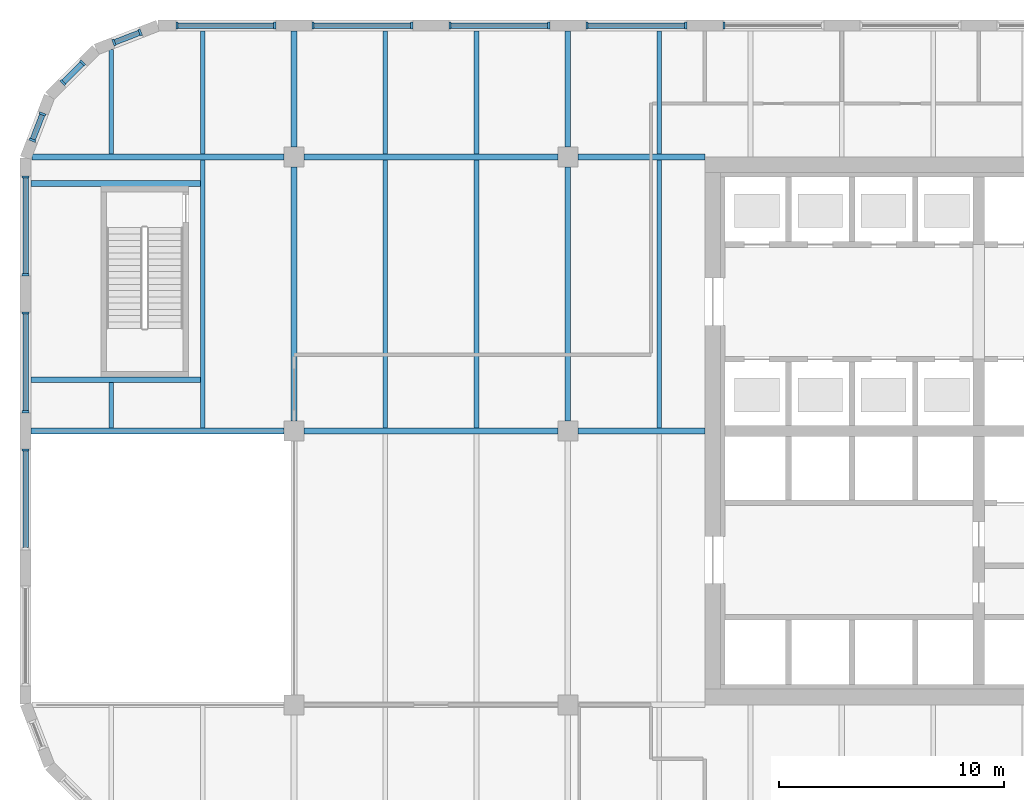
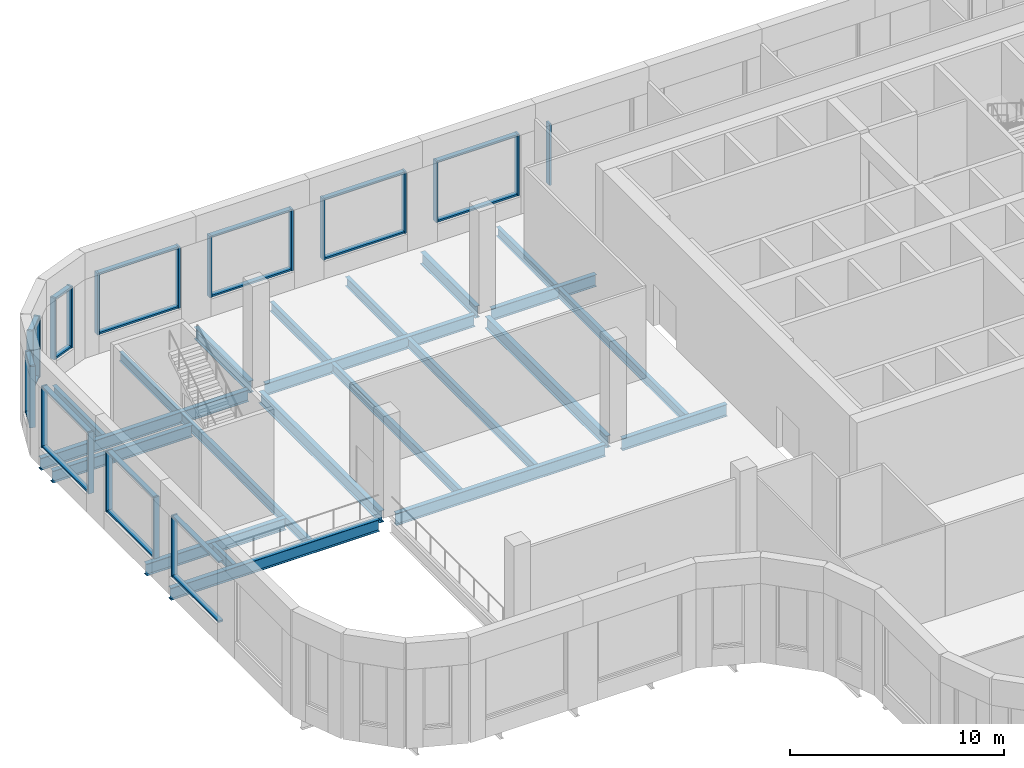
# One storey, part 5 of 36: 40 members, 22 beams, 11 elements without a shape of their own.
"""IFC4 building model written with IfcOpenShell, lengths in metres."""

import ifcopenshell
import ifcopenshell.guid

model = None  # the IFC model being written
_history = None  # IfcOwnerHistory: only IFC2X3 demands one
_inside = {}  # id of a spatial element -> (the spatial element, [elements in it])
_under = {}  # id of a project, library or spatial element -> (it, [spatial elements below it])
_declared = {}  # id of a project -> (the project, [libraries it declares])
_typed = {}  # id of a type object -> (the type object, [elements of that type])
_made_of = {}  # id of a material, layer set ... -> (it, [elements and type objects made of it])


def new_model(schema):
    """Start an empty IFC model of exactly this schema.

    Asked for "IFC4X3", IfcOpenShell would pick the latest addendum, in which some entities
    have other attributes; the version numbers below select the first issue.
    IFC2X3 requires an IfcOwnerHistory on every rooted entity: one is made here for all.
    """
    global model, _history
    if schema == "IFC4X3":
        model = ifcopenshell.file(schema_version=(4, 3, 0, 0))
    else:
        model = ifcopenshell.file(schema=schema)
    _inside.clear()
    _under.clear()
    _declared.clear()
    _typed.clear()
    _made_of.clear()
    _history = None
    if model.schema == "IFC2X3":
        org = make("IfcOrganization", Name="unknown")
        user = make(
            "IfcPersonAndOrganization",
            ThePerson=make("IfcPerson", FamilyName="unknown"),
            TheOrganization=org,
        )
        app = make(
            "IfcApplication",
            ApplicationDeveloper=org,
            Version="unknown",
            ApplicationFullName="unknown",
            ApplicationIdentifier="unknown",
        )
        _history = make(
            "IfcOwnerHistory",
            OwningUser=user,
            OwningApplication=app,
            ChangeAction="ADDED",
            CreationDate=0,
        )
    return model


def make(cls, **values):
    """One entity of the class cls with the attributes given. An attribute that is None is left unset."""
    return model.create_entity(
        cls, **{name: value for name, value in values.items() if value is not None}
    )


def rooted(cls, **values):
    """An entity with a GlobalId (a new one), such as an element, a storey or a relation."""
    return make(cls, GlobalId=ifcopenshell.guid.new(), OwnerHistory=_history, **values)


def si_unit(unit_type, name, prefix=None):
    """IfcSIUnit, for example si_unit("LENGTHUNIT", "METRE", prefix="MILLI")."""
    return make("IfcSIUnit", UnitType=unit_type, Prefix=prefix, Name=name)


def assignment(units):
    """IfcUnitAssignment: the units of a project."""
    return None if units is None else make("IfcUnitAssignment", Units=units)


def point(xyz):
    """IfcCartesianPoint."""
    return None if xyz is None else make("IfcCartesianPoint", Coordinates=xyz)


def direction(xyz):
    """IfcDirection."""
    return None if xyz is None else make("IfcDirection", DirectionRatios=xyz)


def frame(location, z_axis=None, x_axis=None):
    """IfcAxis2Placement3D, a coordinate frame: its origin and axes. An axis left out is left unset."""
    return make(
        "IfcAxis2Placement3D",
        Location=point(location),
        Axis=direction(z_axis),
        RefDirection=direction(x_axis),
    )


def frame_2d(location, x_axis=None):
    """IfcAxis2Placement2D, a coordinate frame in the plane: its origin and x axis."""
    return make(
        "IfcAxis2Placement2D", Location=point(location), RefDirection=direction(x_axis)
    )


def origin():
    """The frame at (0, 0, 0) with its axes left unset."""
    return frame((0.0, 0.0, 0.0))


def origin_2d():
    """The frame at (0, 0) in the plane with its x axis left unset."""
    return frame_2d((0.0, 0.0))


def place(relative_to, where):
    """IfcLocalPlacement: puts the frame where relative to a parent placement (None: the world)."""
    return make(
        "IfcLocalPlacement", PlacementRelTo=relative_to, RelativePlacement=where
    )


def context(
    kind, dimensions, precision=None, world=None, true_north=None, identifier=None
):
    """IfcGeometricRepresentationContext, for example the 3D "Model" context."""
    return make(
        "IfcGeometricRepresentationContext",
        ContextIdentifier=identifier,
        ContextType=kind,
        CoordinateSpaceDimension=dimensions,
        Precision=precision,
        WorldCoordinateSystem=world,
        TrueNorth=true_north,
    )


def subcontext(parent, identifier, kind, view, scale=None):
    """IfcGeometricRepresentationSubContext, for example "Body" below "Model"."""
    return make(
        "IfcGeometricRepresentationSubContext",
        ContextIdentifier=identifier,
        ContextType=kind,
        ParentContext=parent,
        TargetScale=scale,
        TargetView=view,
    )


def project(units=None, contexts=None):
    """IfcProject with its units and contexts."""
    return rooted(
        "IfcProject",
        Name="project",
        RepresentationContexts=contexts,
        UnitsInContext=assignment(units),
    )


def spatial(cls, under=None, at=None, **own):
    """A site, building, storey or space (cls), placed at a placement, below another one or the project."""
    s = rooted(cls, ObjectPlacement=at, **own)
    if under is not None:
        _under.setdefault(under.id(), (under, []))[1].append(s)
    return s


def profile(cls, at=None, kind="AREA", **sizes):
    """A parametric profile (cls). Its sizes go by their IFC names, for example OverallWidth=200.0."""
    return make(cls, ProfileType=kind, Position=at, **sizes)


def rectangle(**sizes):
    """IfcRectangleProfileDef."""
    return profile("IfcRectangleProfileDef", **sizes)


def i_section(**sizes):
    """IfcIShapeProfileDef."""
    return profile("IfcIShapeProfileDef", **sizes)


def extrude(swept, where, along, depth):
    """IfcExtrudedAreaSolid: the profile swept, set in the frame where, extruded along a direction by depth."""
    return make(
        "IfcExtrudedAreaSolid",
        SweptArea=swept,
        Position=where,
        ExtrudedDirection=direction(along),
        Depth=depth,
    )


def shape(context_of_items, identifier, shape_type, items):
    """IfcShapeRepresentation: the items that make up one representation, for example the "Body"."""
    return make(
        "IfcShapeRepresentation",
        ContextOfItems=context_of_items,
        RepresentationIdentifier=identifier,
        RepresentationType=shape_type,
        Items=items,
    )


def material(Name=None, Category=None):
    """IfcMaterial."""
    return make("IfcMaterial", Name=Name, Category=Category)


def material_profile(
    of_material, cross_section, Name=None, Category=None, Priority=None
):
    """IfcMaterialProfile: a cross section and its material."""
    return make(
        "IfcMaterialProfile",
        Name=Name,
        Material=of_material,
        Profile=cross_section,
        Priority=Priority,
        Category=Category,
    )


def profile_set(profiles, Name=None, composite=None):
    """IfcMaterialProfileSet."""
    return make(
        "IfcMaterialProfileSet",
        Name=Name,
        MaterialProfiles=profiles,
        CompositeProfile=composite,
    )


def made_of(thing, what):
    """Note that an element or type object is made of a material, layer set ...; save() writes the relation."""
    if what is not None:
        _made_of.setdefault(what.id(), (what, []))[1].append(thing)
    return thing


def type_object(cls, material=None, **own):
    """A type object (cls), such as IfcWallType, which elements share."""
    return made_of(rooted(cls, **own), material)


def element(
    cls,
    number,
    at=None,
    inside=None,
    cuts=None,
    type_object=None,
    material=None,
    context=None,
    identifier="Body",
    shape_type=None,
    held_by="IfcProductDefinitionShape",
    body=None,
    shapes=None,
    **own,
):
    """One element of the class cls, such as IfcWall. Its Tag is "e" and its number.

    at: its placement. inside: the storey or other place that contains it. cuts: it is an
    opening in that element (IfcRelVoidsElement). A single representation is given by context,
    identifier, shape_type and body (its items); several are given by shapes. held_by: the class
    of the entity that holds the representations. save() writes the other relations.
    """
    e = rooted(cls, Tag="e%d" % number, ObjectPlacement=at, **own)
    if body is not None:
        shapes = [shape(context, identifier, shape_type, body)]
    if shapes is not None:
        e.Representation = make(held_by, Representations=shapes)
    if inside is not None:
        _inside.setdefault(inside.id(), (inside, []))[1].append(e)
    if cuts is not None:
        rooted(
            "IfcRelVoidsElement", RelatingBuildingElement=cuts, RelatedOpeningElement=e
        )
    if type_object is not None:
        _typed.setdefault(type_object.id(), (type_object, []))[1].append(e)
    return made_of(e, material)


def aggregate(whole, parts):
    """IfcRelAggregates: a whole, such as a stair, and the parts it consists of."""
    return rooted("IfcRelAggregates", RelatingObject=whole, RelatedObjects=parts)


def save(model, path):
    """Write the relations noted so far, then the file.

    IfcRelAggregates (storeys below a building ...), IfcRelContainedInSpatialStructure (elements
    in a storey), IfcRelDefinesByType, IfcRelAssociatesMaterial and IfcRelDeclares: one each for
    every whole, place, type object, material and project.
    """
    for whole, parts in _under.values():
        aggregate(whole, parts)
    for where, things in _inside.values():
        rooted(
            "IfcRelContainedInSpatialStructure",
            RelatedElements=things,
            RelatingStructure=where,
        )
    for kind, things in _typed.values():
        rooted("IfcRelDefinesByType", RelatedObjects=things, RelatingType=kind)
    for what, things in _made_of.values():
        rooted("IfcRelAssociatesMaterial", RelatedObjects=things, RelatingMaterial=what)
    for by, libraries in _declared.values():
        rooted("IfcRelDeclares", RelatingContext=by, RelatedDefinitions=libraries)
    model.write(path)


model = new_model("IFC4")

# Units and contexts
model_context = context("Model", 3, precision=1e-05, world=origin(), true_north=direction((0.0, 1.0)))
body_context = subcontext(model_context, "Body", "Model", "MODEL_VIEW")
ifc_project = project(units=[si_unit("LENGTHUNIT", "METRE"), si_unit("AREAUNIT", "SQUARE_METRE"), si_unit("VOLUMEUNIT", "CUBIC_METRE"), si_unit("PLANEANGLEUNIT", "RADIAN"), si_unit("MASSUNIT", "GRAM", prefix="KILO")], contexts=[model_context])

# Site, building, storey
site_placement = place(None, origin())
site = spatial("IfcSite", under=ifc_project, at=site_placement, CompositionType="ELEMENT")
building_placement = place(site_placement, origin())
building = spatial("IfcBuilding", under=site, at=building_placement, Name="Tessera Gate Towers", CompositionType="ELEMENT")
storey_placement = place(building_placement, frame((0.0, 0.0, 106.60009765625)))
storey = spatial("IfcBuildingStorey", under=building, at=storey_placement, Name="L26", CompositionType="ELEMENT", Elevation=106.60009765625)

# Beams
ifc_material_1 = material(Name="Steel 350W", Category="steel")
ifc_material_profile_1 = material_profile(ifc_material_1, i_section(OverallWidth=0.2529296875, OverallDepth=0.677978515625, WebThickness=0.01171875, FlangeThickness=0.016357421875, at=origin_2d()), Name="W690x125")
ifc_profile_set_1 = profile_set([ifc_material_profile_1], Name="Steel 350W")
beam_type_1 = type_object("IfcBeamType", Name="FLOOR GIRDER W690x125", PredefinedType="BEAM", material=ifc_profile_set_1)
beam_1_placement = place(storey_placement, frame((0.4990234375, 36.60009765625, -0.589111328125), z_axis=(1.0, 0.0, 0.0), x_axis=(0.0, 1.0, 0.0)))
element("IfcBeam", 1, at=beam_1_placement, inside=storey, type_object=beam_type_1, Name="T1-GD-L26-3408", PredefinedType="BEAM", context=body_context, shape_type="SweptSolid", body=[
    extrude(i_section(OverallWidth=0.2529296875, OverallDepth=0.677978515625, WebThickness=0.01171875, FlangeThickness=0.016357421875, at=origin_2d()), origin(), (0.0, 0.0, 1.0), 11.2509765625),
])
beam_2_placement = place(storey_placement, frame((12.64990234375, 36.60009765625, -0.589111328125), z_axis=(1.0, 0.0, 0.0), x_axis=(0.0, 1.0, 0.0)))
element("IfcBeam", 2, at=beam_2_placement, inside=storey, type_object=beam_type_1, Name="T1-GD-L26-3409", PredefinedType="BEAM", context=body_context, shape_type="SweptSolid", body=[
    extrude(i_section(OverallWidth=0.2529296875, OverallDepth=0.677978515625, WebThickness=0.01171875, FlangeThickness=0.016357421875, at=origin_2d()), origin(), (0.0, 0.0, 1.0), 11.300048828125),
])
beam_3_placement = place(storey_placement, frame((24.85009765625, 36.60009765625, -0.589111328125), z_axis=(1.0, 0.0, 0.0), x_axis=(0.0, 1.0, 0.0)))
element("IfcBeam", 3, at=beam_3_placement, inside=storey, type_object=beam_type_1, Name="T1-GD-L26-3410", PredefinedType="BEAM", context=body_context, shape_type="SweptSolid", body=[
    extrude(i_section(OverallWidth=0.2529296875, OverallDepth=0.677978515625, WebThickness=0.01171875, FlangeThickness=0.016357421875, at=origin_2d()), origin(), (0.0, 0.0, 1.0), 5.65087890625),
])
beam_4_placement = place(storey_placement, frame((0.534912109375, 48.800048828125, -0.589111328125), z_axis=(1.0, 0.0, 0.0), x_axis=(0.0, 1.0, 0.0)))
element("IfcBeam", 4, at=beam_4_placement, inside=storey, type_object=beam_type_1, Name="T1-GD-L26-3412", PredefinedType="BEAM", context=body_context, shape_type="SweptSolid", body=[
    extrude(i_section(OverallWidth=0.2529296875, OverallDepth=0.677978515625, WebThickness=0.01171875, FlangeThickness=0.016357421875, at=origin_2d()), origin(), (0.0, 0.0, 1.0), 11.215087890625),
])
beam_5_placement = place(storey_placement, frame((12.64990234375, 48.800048828125, -0.589111328125), z_axis=(1.0, 0.0, 0.0), x_axis=(0.0, 1.0, 0.0)))
element("IfcBeam", 5, at=beam_5_placement, inside=storey, type_object=beam_type_1, Name="T1-GD-L26-3413", PredefinedType="BEAM", context=body_context, shape_type="SweptSolid", body=[
    extrude(i_section(OverallWidth=0.2529296875, OverallDepth=0.677978515625, WebThickness=0.01171875, FlangeThickness=0.016357421875, at=origin_2d()), origin(), (0.0, 0.0, 1.0), 11.300048828125),
])
beam_6_placement = place(storey_placement, frame((24.85009765625, 48.800048828125, -0.589111328125), z_axis=(1.0, 0.0, 0.0), x_axis=(0.0, 1.0, 0.0)))
element("IfcBeam", 6, at=beam_6_placement, inside=storey, type_object=beam_type_1, Name="T1-GD-L26-3414", PredefinedType="BEAM", context=body_context, shape_type="SweptSolid", body=[
    extrude(i_section(OverallWidth=0.2529296875, OverallDepth=0.677978515625, WebThickness=0.01171875, FlangeThickness=0.016357421875, at=origin_2d()), origin(), (0.0, 0.0, 1.0), 5.64892578125),
])
beam_7_placement = place(storey_placement, frame((12.199951171875, 37.050048828125, -0.589111328125), z_axis=(0.0, 1.0, 0.0), x_axis=(-1.0, 0.0, 0.0)))
element("IfcBeam", 7, at=beam_7_placement, inside=storey, type_object=beam_type_1, Name="T1-GD-L26-3418", PredefinedType="BEAM", context=body_context, shape_type="SweptSolid", body=[
    extrude(i_section(OverallWidth=0.2529296875, OverallDepth=0.677978515625, WebThickness=0.01171875, FlangeThickness=0.016357421875, at=origin_2d()), origin(), (0.0, 0.0, 1.0), 11.300048828125),
])
beam_8_placement = place(storey_placement, frame((12.199951171875, 49.25, -0.589111328125), z_axis=(0.0, 1.0, 0.0), x_axis=(-1.0, 0.0, 0.0)))
element("IfcBeam", 8, at=beam_8_placement, inside=storey, type_object=beam_type_1, Name="T1-GD-L26-3419", PredefinedType="BEAM", context=body_context, shape_type="SweptSolid", body=[
    extrude(i_section(OverallWidth=0.2529296875, OverallDepth=0.677978515625, WebThickness=0.01171875, FlangeThickness=0.016357421875, at=origin_2d()), origin(), (0.0, 0.0, 1.0), 5.15087890625),
])
beam_9_placement = place(storey_placement, frame((24.39990234375, 37.050048828125, -0.589111328125), z_axis=(0.0, 1.0, 0.0), x_axis=(-1.0, 0.0, 0.0)))
element("IfcBeam", 9, at=beam_9_placement, inside=storey, type_object=beam_type_1, Name="T1-GD-L26-3422", PredefinedType="BEAM", context=body_context, shape_type="SweptSolid", body=[
    extrude(i_section(OverallWidth=0.2529296875, OverallDepth=0.677978515625, WebThickness=0.01171875, FlangeThickness=0.016357421875, at=origin_2d()), origin(), (0.0, 0.0, 1.0), 11.300048828125),
])
beam_10_placement = place(storey_placement, frame((24.39990234375, 49.25, -0.589111328125), z_axis=(0.0, 1.0, 0.0), x_axis=(-1.0, 0.0, 0.0)))
element("IfcBeam", 10, at=beam_10_placement, inside=storey, type_object=beam_type_1, Name="T1-GD-L26-3423", PredefinedType="BEAM", context=body_context, shape_type="SweptSolid", body=[
    extrude(i_section(OverallWidth=0.2529296875, OverallDepth=0.677978515625, WebThickness=0.01171875, FlangeThickness=0.016357421875, at=origin_2d()), origin(), (0.0, 0.0, 1.0), 5.15087890625),
])
for number, where, z_axis, x_axis, name in (
    (11, (0.4990234375, 38.8798828125, -0.589111328125), (1.0, 0.0, 0.0), (0.0, 1.0, 0.0), "T1-GD-L26-3428"),
    (12, (0.4990234375, 47.6201171875, -0.589111328125), (1.0, 0.0, 0.0), (0.0, 1.0, 0.0), "T1-GD-L26-3429"),
):
    element("IfcBeam", number, at=place(storey_placement, frame(where, z_axis=z_axis, x_axis=x_axis)), inside=storey, type_object=beam_type_1, Name=name, PredefinedType="BEAM", context=body_context, shape_type="SweptSolid", body=[
        extrude(i_section(OverallWidth=0.2529296875, OverallDepth=0.677978515625, WebThickness=0.01171875, FlangeThickness=0.016357421875, at=origin_2d()), origin(), (0.0, 0.0, 1.0), 7.52978515625),
    ])
ifc_material_2 = material(Name="Steel 350W", Category="steel")
ifc_material_profile_2 = material_profile(ifc_material_2, i_section(OverallWidth=0.208984375, OverallDepth=0.528076171875, WebThickness=0.009521484375, FlangeThickness=0.01318359375, at=origin_2d()), Name="W530x82")
ifc_profile_set_2 = profile_set([ifc_material_profile_2], Name="Steel 350W")
beam_type_2 = type_object("IfcBeamType", Name="FLOOR SECONDARY W530x82", PredefinedType="BEAM", material=ifc_profile_set_2)
beam_11_placement = place(storey_placement, frame((4.066650390625, 36.7265625, -0.51416015625), z_axis=(0.0, 1.0, 0.0), x_axis=(-1.0, 0.0, 0.0)))
element("IfcBeam", 13, at=beam_11_placement, inside=storey, type_object=beam_type_2, Name="T1-BM-L26-3438", PredefinedType="BEAM", context=body_context, shape_type="SweptSolid", body=[
    extrude(i_section(OverallWidth=0.208984375, OverallDepth=0.528076171875, WebThickness=0.009521484375, FlangeThickness=0.01318359375, at=origin_2d()), origin(), (0.0, 0.0, 1.0), 2.02685546875),
])
beam_12_placement = place(storey_placement, frame((4.066650390625, 48.926513671875, -0.51416015625), z_axis=(0.0, 1.0, 0.0), x_axis=(-1.0, 0.0, 0.0)))
element("IfcBeam", 14, at=beam_12_placement, inside=storey, type_object=beam_type_2, Name="T1-BM-L26-3439", PredefinedType="BEAM", context=body_context, shape_type="SweptSolid", body=[
    extrude(i_section(OverallWidth=0.208984375, OverallDepth=0.528076171875, WebThickness=0.009521484375, FlangeThickness=0.01318359375, at=origin_2d()), origin(), (0.0, 0.0, 1.0), 4.653076171875),
])
beam_13_placement = place(storey_placement, frame((8.13330078125, 36.7265625, -0.51416015625), z_axis=(0.0, 1.0, 0.0), x_axis=(-1.0, 0.0, 0.0)))
element("IfcBeam", 15, at=beam_13_placement, inside=storey, type_object=beam_type_2, Name="T1-BM-L26-3441", PredefinedType="BEAM", context=body_context, shape_type="SweptSolid", body=[
    extrude(i_section(OverallWidth=0.208984375, OverallDepth=0.528076171875, WebThickness=0.009521484375, FlangeThickness=0.01318359375, at=origin_2d()), origin(), (0.0, 0.0, 1.0), 11.947021484375),
])
beam_14_placement = place(storey_placement, frame((8.13330078125, 48.926513671875, -0.51416015625), z_axis=(0.0, 1.0, 0.0), x_axis=(-1.0, 0.0, 0.0)))
element("IfcBeam", 16, at=beam_14_placement, inside=storey, type_object=beam_type_2, Name="T1-BM-L26-3442", PredefinedType="BEAM", context=body_context, shape_type="SweptSolid", body=[
    extrude(i_section(OverallWidth=0.208984375, OverallDepth=0.528076171875, WebThickness=0.009521484375, FlangeThickness=0.01318359375, at=origin_2d()), origin(), (0.0, 0.0, 1.0), 5.473388671875),
])
beam_15_placement = place(storey_placement, frame((16.2666015625, 36.7265625, -0.51416015625), z_axis=(0.0, 1.0, 0.0), x_axis=(-1.0, 0.0, 0.0)))
element("IfcBeam", 17, at=beam_15_placement, inside=storey, type_object=beam_type_2, Name="T1-BM-L26-3445", PredefinedType="BEAM", context=body_context, shape_type="SweptSolid", body=[
    extrude(i_section(OverallWidth=0.208984375, OverallDepth=0.528076171875, WebThickness=0.009521484375, FlangeThickness=0.01318359375, at=origin_2d()), origin(), (0.0, 0.0, 1.0), 11.947021484375),
])
beam_16_placement = place(storey_placement, frame((16.2666015625, 48.926513671875, -0.51416015625), z_axis=(0.0, 1.0, 0.0), x_axis=(-1.0, 0.0, 0.0)))
element("IfcBeam", 18, at=beam_16_placement, inside=storey, type_object=beam_type_2, Name="T1-BM-L26-3446", PredefinedType="BEAM", context=body_context, shape_type="SweptSolid", body=[
    extrude(i_section(OverallWidth=0.208984375, OverallDepth=0.528076171875, WebThickness=0.009521484375, FlangeThickness=0.01318359375, at=origin_2d()), origin(), (0.0, 0.0, 1.0), 5.473388671875),
])
beam_17_placement = place(storey_placement, frame((20.333251953125, 36.7265625, -0.51416015625), z_axis=(0.0, 1.0, 0.0), x_axis=(-1.0, 0.0, 0.0)))
element("IfcBeam", 19, at=beam_17_placement, inside=storey, type_object=beam_type_2, Name="T1-BM-L26-3449", PredefinedType="BEAM", context=body_context, shape_type="SweptSolid", body=[
    extrude(i_section(OverallWidth=0.208984375, OverallDepth=0.528076171875, WebThickness=0.009521484375, FlangeThickness=0.01318359375, at=origin_2d()), origin(), (0.0, 0.0, 1.0), 11.947021484375),
])
beam_18_placement = place(storey_placement, frame((20.333251953125, 48.926513671875, -0.51416015625), z_axis=(0.0, 1.0, 0.0), x_axis=(-1.0, 0.0, 0.0)))
element("IfcBeam", 20, at=beam_18_placement, inside=storey, type_object=beam_type_2, Name="T1-BM-L26-3450", PredefinedType="BEAM", context=body_context, shape_type="SweptSolid", body=[
    extrude(i_section(OverallWidth=0.208984375, OverallDepth=0.528076171875, WebThickness=0.009521484375, FlangeThickness=0.01318359375, at=origin_2d()), origin(), (0.0, 0.0, 1.0), 5.473388671875),
])
beam_19_placement = place(storey_placement, frame((28.466796875, 36.7265625, -0.51416015625), z_axis=(0.0, 1.0, 0.0), x_axis=(-1.0, 0.0, 0.0)))
element("IfcBeam", 21, at=beam_19_placement, inside=storey, type_object=beam_type_2, Name="T1-BM-L26-3454", PredefinedType="BEAM", context=body_context, shape_type="SweptSolid", body=[
    extrude(i_section(OverallWidth=0.208984375, OverallDepth=0.528076171875, WebThickness=0.009521484375, FlangeThickness=0.01318359375, at=origin_2d()), origin(), (0.0, 0.0, 1.0), 11.947021484375),
])
beam_20_placement = place(storey_placement, frame((28.466796875, 48.926513671875, -0.51416015625), z_axis=(0.0, 1.0, 0.0), x_axis=(-1.0, 0.0, 0.0)))
element("IfcBeam", 22, at=beam_20_placement, inside=storey, type_object=beam_type_2, Name="T1-BM-L26-3455", PredefinedType="BEAM", context=body_context, shape_type="SweptSolid", body=[
    extrude(i_section(OverallWidth=0.208984375, OverallDepth=0.528076171875, WebThickness=0.009521484375, FlangeThickness=0.01318359375, at=origin_2d()), origin(), (0.0, 0.0, 1.0), 5.473388671875),
])

# Curtain wall, member
ifc_material_3 = material(Name="Aluminium frame", Category="aluminium")
curtain_wall_type = type_object("IfcCurtainWallType", Name="CW-S3 amenity floor glazing", PredefinedType="NOTDEFINED", material=ifc_material_3)
curtain_wall_1_placement = place(storey_placement, origin())
curtain_wall_1 = element("IfcCurtainWall", 23, at=curtain_wall_1_placement, inside=storey, type_object=curtain_wall_type, Name="Curtain wall amenity floor glazing 0021", PredefinedType="NOTDEFINED")
ifc_material_4 = material(Name="Aluminium frame", Category="aluminium")
ifc_material_profile_3 = material_profile(ifc_material_4, rectangle(XDim=0.10009765625, YDim=0.300048828125, at=origin_2d()), Name="AL 100x300")
ifc_profile_set_3 = profile_set([ifc_material_profile_3], Name="Aluminium frame")
member_type_1 = type_object("IfcMemberType", Name="MU-S3 mullion 100x300", PredefinedType="MULLION", material=ifc_profile_set_3)
member_1_placement = place(storey_placement, frame((31.35009765625, 54.64990234375, 1.0), z_axis=(0.0, 0.0, 1.0), x_axis=(-1.0, 0.0, 0.0)))
member_1 = element("IfcMember", 24, at=member_1_placement, type_object=member_type_1, Name="T1-CW3-0021 mullion 2", PredefinedType="MULLION", context=body_context, shape_type="SweptSolid", body=[
    extrude(rectangle(XDim=0.10009765625, YDim=0.300048828125, at=origin_2d()), origin(), (0.0, 0.0, 1.0), 3.5),
])
aggregate(curtain_wall_1, [member_1])

# Curtain wall, members
curtain_wall_2_placement = place(storey_placement, origin())
curtain_wall_2 = element("IfcCurtainWall", 25, at=curtain_wall_2_placement, inside=storey, type_object=curtain_wall_type, Name="Curtain wall amenity floor glazing 0022", PredefinedType="NOTDEFINED")
member_2_placement = place(storey_placement, frame((29.64990234375, 54.64990234375, 1.0), z_axis=(0.0, 0.0, 1.0), x_axis=(-1.0, 0.0, 0.0)))
member_2 = element("IfcMember", 26, at=member_2_placement, type_object=member_type_1, Name="T1-CW3-0022 mullion 1", PredefinedType="MULLION", context=body_context, shape_type="SweptSolid", body=[
    extrude(rectangle(XDim=0.10009765625, YDim=0.300048828125, at=origin_2d()), origin(), (0.0, 0.0, 1.0), 3.5),
])
member_3_placement = place(storey_placement, frame((25.25, 54.64990234375, 1.0), z_axis=(0.0, 0.0, 1.0), x_axis=(-1.0, 0.0, 0.0)))
member_3 = element("IfcMember", 27, at=member_3_placement, type_object=member_type_1, Name="T1-CW3-0022 mullion 2", PredefinedType="MULLION", context=body_context, shape_type="SweptSolid", body=[
    extrude(rectangle(XDim=0.10009765625, YDim=0.300048828125, at=origin_2d()), origin(), (0.0, 0.0, 1.0), 3.5),
])

curtain_wall_3_placement = place(storey_placement, origin())
curtain_wall_3 = element("IfcCurtainWall", 28, at=curtain_wall_3_placement, inside=storey, type_object=curtain_wall_type, Name="Curtain wall amenity floor glazing 0023", PredefinedType="NOTDEFINED")
member_4_placement = place(storey_placement, frame((23.550048828125, 54.64990234375, 1.0), z_axis=(0.0, 0.0, 1.0), x_axis=(-1.0, 0.0, 0.0)))
member_4 = element("IfcMember", 29, at=member_4_placement, type_object=member_type_1, Name="T1-CW3-0023 mullion 1", PredefinedType="MULLION", context=body_context, shape_type="SweptSolid", body=[
    extrude(rectangle(XDim=0.10009765625, YDim=0.300048828125, at=origin_2d()), origin(), (0.0, 0.0, 1.0), 3.5),
])
member_5_placement = place(storey_placement, frame((19.14990234375, 54.64990234375, 1.0), z_axis=(0.0, 0.0, 1.0), x_axis=(-1.0, 0.0, 0.0)))
member_5 = element("IfcMember", 30, at=member_5_placement, type_object=member_type_1, Name="T1-CW3-0023 mullion 2", PredefinedType="MULLION", context=body_context, shape_type="SweptSolid", body=[
    extrude(rectangle(XDim=0.10009765625, YDim=0.300048828125, at=origin_2d()), origin(), (0.0, 0.0, 1.0), 3.5),
])

curtain_wall_4_placement = place(storey_placement, origin())
curtain_wall_4 = element("IfcCurtainWall", 31, at=curtain_wall_4_placement, inside=storey, type_object=curtain_wall_type, Name="Curtain wall amenity floor glazing 0024", PredefinedType="NOTDEFINED")
member_6_placement = place(storey_placement, frame((17.449951171875, 54.64990234375, 1.0), z_axis=(0.0, 0.0, 1.0), x_axis=(-1.0, 0.0, 0.0)))
member_6 = element("IfcMember", 32, at=member_6_placement, type_object=member_type_1, Name="T1-CW3-0024 mullion 1", PredefinedType="MULLION", context=body_context, shape_type="SweptSolid", body=[
    extrude(rectangle(XDim=0.10009765625, YDim=0.300048828125, at=origin_2d()), origin(), (0.0, 0.0, 1.0), 3.5),
])
member_7_placement = place(storey_placement, frame((13.050048828125, 54.64990234375, 1.0), z_axis=(0.0, 0.0, 1.0), x_axis=(-1.0, 0.0, 0.0)))
member_7 = element("IfcMember", 33, at=member_7_placement, type_object=member_type_1, Name="T1-CW3-0024 mullion 2", PredefinedType="MULLION", context=body_context, shape_type="SweptSolid", body=[
    extrude(rectangle(XDim=0.10009765625, YDim=0.300048828125, at=origin_2d()), origin(), (0.0, 0.0, 1.0), 3.5),
])

curtain_wall_5_placement = place(storey_placement, origin())
curtain_wall_5 = element("IfcCurtainWall", 34, at=curtain_wall_5_placement, inside=storey, type_object=curtain_wall_type, Name="Curtain wall amenity floor glazing 0025", PredefinedType="NOTDEFINED")
member_8_placement = place(storey_placement, frame((11.35009765625, 54.64990234375, 1.0), z_axis=(0.0, 0.0, 1.0), x_axis=(-1.0, 0.0, 0.0)))
member_8 = element("IfcMember", 35, at=member_8_placement, type_object=member_type_1, Name="T1-CW3-0025 mullion 1", PredefinedType="MULLION", context=body_context, shape_type="SweptSolid", body=[
    extrude(rectangle(XDim=0.10009765625, YDim=0.300048828125, at=origin_2d()), origin(), (0.0, 0.0, 1.0), 3.5),
])
member_9_placement = place(storey_placement, frame((6.99658203125, 54.64990234375, 1.0), z_axis=(0.0, 0.0, 1.0), x_axis=(-1.0, 0.0, 0.0)))
member_9 = element("IfcMember", 36, at=member_9_placement, type_object=member_type_1, Name="T1-CW3-0025 mullion 2", PredefinedType="MULLION", context=body_context, shape_type="SweptSolid", body=[
    extrude(rectangle(XDim=0.10009765625, YDim=0.300048828125, at=origin_2d()), origin(), (0.0, 0.0, 1.0), 3.5),
])

curtain_wall_6_placement = place(storey_placement, origin())
curtain_wall_6 = element("IfcCurtainWall", 37, at=curtain_wall_6_placement, inside=storey, type_object=curtain_wall_type, Name="Curtain wall amenity floor glazing 0026", PredefinedType="NOTDEFINED")
member_10_placement = place(storey_placement, frame((5.353515625, 54.343994140625, 1.0), z_axis=(0.0, 0.0, 1.0), x_axis=(-0.932989314041, -0.359904070394, 0.0)))
member_10 = element("IfcMember", 38, at=member_10_placement, type_object=member_type_1, Name="T1-CW3-0026 mullion 1", PredefinedType="MULLION", context=body_context, shape_type="SweptSolid", body=[
    extrude(rectangle(XDim=0.10009765625, YDim=0.300048828125, at=origin_2d()), origin(), (0.0, 0.0, 1.0), 3.5),
])
member_11_placement = place(storey_placement, frame((4.186767578125, 53.89404296875, 1.0), z_axis=(0.0, 0.0, 1.0), x_axis=(-0.932989314041, -0.359904070394, 0.0)))
member_11 = element("IfcMember", 39, at=member_11_placement, type_object=member_type_1, Name="T1-CW3-0026 mullion 2", PredefinedType="MULLION", context=body_context, shape_type="SweptSolid", body=[
    extrude(rectangle(XDim=0.10009765625, YDim=0.300048828125, at=origin_2d()), origin(), (0.0, 0.0, 1.0), 3.5),
])

curtain_wall_7_placement = place(storey_placement, origin())
curtain_wall_7 = element("IfcCurtainWall", 40, at=curtain_wall_7_placement, inside=storey, type_object=curtain_wall_type, Name="Curtain wall amenity floor glazing 0027", PredefinedType="NOTDEFINED")
member_12_placement = place(storey_placement, frame((2.792724609375, 52.987060546875, 1.0), z_axis=(0.0, 0.0, 1.0), x_axis=(-0.707106781187, -0.707106781187, 0.0)))
member_12 = element("IfcMember", 41, at=member_12_placement, type_object=member_type_1, Name="T1-CW3-0027 mullion 1", PredefinedType="MULLION", context=body_context, shape_type="SweptSolid", body=[
    extrude(rectangle(XDim=0.10009765625, YDim=0.300048828125, at=origin_2d()), origin(), (0.0, 0.0, 1.0), 3.5),
])
member_13_placement = place(storey_placement, frame((1.912841796875, 52.107421875, 1.0), z_axis=(0.0, 0.0, 1.0), x_axis=(-0.707106781187, -0.707106781187, 0.0)))
member_13 = element("IfcMember", 42, at=member_13_placement, type_object=member_type_1, Name="T1-CW3-0027 mullion 2", PredefinedType="MULLION", context=body_context, shape_type="SweptSolid", body=[
    extrude(rectangle(XDim=0.10009765625, YDim=0.300048828125, at=origin_2d()), origin(), (0.0, 0.0, 1.0), 3.5),
])

curtain_wall_8_placement = place(storey_placement, origin())
curtain_wall_8 = element("IfcCurtainWall", 43, at=curtain_wall_8_placement, inside=storey, type_object=curtain_wall_type, Name="Curtain wall amenity floor glazing 0028", PredefinedType="NOTDEFINED")
member_14_placement = place(storey_placement, frame((1.006103515625, 50.713134765625, 1.0), z_axis=(0.0, 0.0, 1.0), x_axis=(-0.359904070394, -0.932989314041, 0.0)))
member_14 = element("IfcMember", 44, at=member_14_placement, type_object=member_type_1, Name="T1-CW3-0028 mullion 1", PredefinedType="MULLION", context=body_context, shape_type="SweptSolid", body=[
    extrude(rectangle(XDim=0.10009765625, YDim=0.300048828125, at=origin_2d()), origin(), (0.0, 0.0, 1.0), 3.5),
])
member_15_placement = place(storey_placement, frame((0.555908203125, 49.54638671875, 1.0), z_axis=(0.0, 0.0, 1.0), x_axis=(-0.359904070394, -0.932989314041, 0.0)))
member_15 = element("IfcMember", 45, at=member_15_placement, type_object=member_type_1, Name="T1-CW3-0028 mullion 2", PredefinedType="MULLION", context=body_context, shape_type="SweptSolid", body=[
    extrude(rectangle(XDim=0.10009765625, YDim=0.300048828125, at=origin_2d()), origin(), (0.0, 0.0, 1.0), 3.5),
])

curtain_wall_9_placement = place(storey_placement, origin())
curtain_wall_9 = element("IfcCurtainWall", 46, at=curtain_wall_9_placement, inside=storey, type_object=curtain_wall_type, Name="Curtain wall amenity floor glazing 0029", PredefinedType="NOTDEFINED")
member_16_placement = place(storey_placement, frame((0.25, 47.903564453125, 1.0), z_axis=(0.0, 0.0, 1.0), x_axis=(0.0, -1.0, 0.0)))
member_16 = element("IfcMember", 47, at=member_16_placement, type_object=member_type_1, Name="T1-CW3-0029 mullion 1", PredefinedType="MULLION", context=body_context, shape_type="SweptSolid", body=[
    extrude(rectangle(XDim=0.10009765625, YDim=0.300048828125, at=origin_2d()), origin(), (0.0, 0.0, 1.0), 3.5),
])
member_17_placement = place(storey_placement, frame((0.25, 43.550048828125, 1.0), z_axis=(0.0, 0.0, 1.0), x_axis=(0.0, -1.0, 0.0)))
member_17 = element("IfcMember", 48, at=member_17_placement, type_object=member_type_1, Name="T1-CW3-0029 mullion 2", PredefinedType="MULLION", context=body_context, shape_type="SweptSolid", body=[
    extrude(rectangle(XDim=0.10009765625, YDim=0.300048828125, at=origin_2d()), origin(), (0.0, 0.0, 1.0), 3.5),
])

curtain_wall_10_placement = place(storey_placement, origin())
curtain_wall_10 = element("IfcCurtainWall", 49, at=curtain_wall_10_placement, inside=storey, type_object=curtain_wall_type, Name="Curtain wall amenity floor glazing 0030", PredefinedType="NOTDEFINED")
member_18_placement = place(storey_placement, frame((0.25, 41.85009765625, 1.0), z_axis=(0.0, 0.0, 1.0), x_axis=(0.0, -1.0, 0.0)))
member_18 = element("IfcMember", 50, at=member_18_placement, type_object=member_type_1, Name="T1-CW3-0030 mullion 1", PredefinedType="MULLION", context=body_context, shape_type="SweptSolid", body=[
    extrude(rectangle(XDim=0.10009765625, YDim=0.300048828125, at=origin_2d()), origin(), (0.0, 0.0, 1.0), 3.5),
])
member_19_placement = place(storey_placement, frame((0.25, 37.449951171875, 1.0), z_axis=(0.0, 0.0, 1.0), x_axis=(0.0, -1.0, 0.0)))
member_19 = element("IfcMember", 51, at=member_19_placement, type_object=member_type_1, Name="T1-CW3-0030 mullion 2", PredefinedType="MULLION", context=body_context, shape_type="SweptSolid", body=[
    extrude(rectangle(XDim=0.10009765625, YDim=0.300048828125, at=origin_2d()), origin(), (0.0, 0.0, 1.0), 3.5),
])

# Curtain wall, member
curtain_wall_11_placement = place(storey_placement, origin())
curtain_wall_11 = element("IfcCurtainWall", 52, at=curtain_wall_11_placement, inside=storey, type_object=curtain_wall_type, Name="Curtain wall amenity floor glazing 0031", PredefinedType="NOTDEFINED")
member_20_placement = place(storey_placement, frame((0.25, 35.75, 1.0), z_axis=(0.0, 0.0, 1.0), x_axis=(0.0, -1.0, 0.0)))
member_20 = element("IfcMember", 53, at=member_20_placement, type_object=member_type_1, Name="T1-CW3-0031 mullion 1", PredefinedType="MULLION", context=body_context, shape_type="SweptSolid", body=[
    extrude(rectangle(XDim=0.10009765625, YDim=0.300048828125, at=origin_2d()), origin(), (0.0, 0.0, 1.0), 3.5),
])

# Member
ifc_material_5 = material(Name="Aluminium frame", Category="aluminium")
ifc_material_profile_4 = material_profile(ifc_material_5, rectangle(XDim=0.25, YDim=0.10009765625, at=origin_2d()), Name="AL 100x250")
ifc_profile_set_4 = profile_set([ifc_material_profile_4], Name="Aluminium frame")
member_type_2 = type_object("IfcMemberType", Name="TR-S3 transom 100x250", PredefinedType="USERDEFINED", material=ifc_profile_set_4)
member_21_placement = place(storey_placement, frame((29.60009765625, 54.64990234375, 1.0498046875), z_axis=(-1.0, 0.0, 0.0), x_axis=(0.0, -1.0, 0.0)))
member_21 = element("IfcMember", 54, at=member_21_placement, type_object=member_type_2, Name="T1-CW3-0022 transom 1.1", ObjectType="TRANSOM", PredefinedType="USERDEFINED", context=body_context, shape_type="SweptSolid", body=[
    extrude(rectangle(XDim=0.25, YDim=0.10009765625, at=origin_2d()), origin(), (0.0, 0.0, 1.0), 4.300048828125),
])

member_22_placement = place(storey_placement, frame((29.60009765625, 54.64990234375, 4.449951171875), z_axis=(-1.0, 0.0, 0.0), x_axis=(0.0, -1.0, 0.0)))
member_22 = element("IfcMember", 55, at=member_22_placement, type_object=member_type_2, Name="T1-CW3-0022 transom 1.2", ObjectType="TRANSOM", PredefinedType="USERDEFINED", context=body_context, shape_type="SweptSolid", body=[
    extrude(rectangle(XDim=0.25, YDim=0.10009765625, at=origin_2d()), origin(), (0.0, 0.0, 1.0), 4.300048828125),
])

aggregate(curtain_wall_2, [member_2, member_3, member_21, member_22])

member_23_placement = place(storey_placement, frame((23.5, 54.64990234375, 1.0498046875), z_axis=(-1.0, 0.0, 0.0), x_axis=(0.0, -1.0, 0.0)))
member_23 = element("IfcMember", 56, at=member_23_placement, type_object=member_type_2, Name="T1-CW3-0023 transom 1.1", ObjectType="TRANSOM", PredefinedType="USERDEFINED", context=body_context, shape_type="SweptSolid", body=[
    extrude(rectangle(XDim=0.25, YDim=0.10009765625, at=origin_2d()), origin(), (0.0, 0.0, 1.0), 4.300048828125),
])

member_24_placement = place(storey_placement, frame((23.5, 54.64990234375, 4.449951171875), z_axis=(-1.0, 0.0, 0.0), x_axis=(0.0, -1.0, 0.0)))
member_24 = element("IfcMember", 57, at=member_24_placement, type_object=member_type_2, Name="T1-CW3-0023 transom 1.2", ObjectType="TRANSOM", PredefinedType="USERDEFINED", context=body_context, shape_type="SweptSolid", body=[
    extrude(rectangle(XDim=0.25, YDim=0.10009765625, at=origin_2d()), origin(), (0.0, 0.0, 1.0), 4.300048828125),
])

aggregate(curtain_wall_3, [member_4, member_5, member_23, member_24])

member_25_placement = place(storey_placement, frame((17.39990234375, 54.64990234375, 1.0498046875), z_axis=(-1.0, 0.0, 0.0), x_axis=(0.0, -1.0, 0.0)))
member_25 = element("IfcMember", 58, at=member_25_placement, type_object=member_type_2, Name="T1-CW3-0024 transom 1.1", ObjectType="TRANSOM", PredefinedType="USERDEFINED", context=body_context, shape_type="SweptSolid", body=[
    extrude(rectangle(XDim=0.25, YDim=0.10009765625, at=origin_2d()), origin(), (0.0, 0.0, 1.0), 4.2998046875),
])

member_26_placement = place(storey_placement, frame((17.39990234375, 54.64990234375, 4.449951171875), z_axis=(-1.0, 0.0, 0.0), x_axis=(0.0, -1.0, 0.0)))
member_26 = element("IfcMember", 59, at=member_26_placement, type_object=member_type_2, Name="T1-CW3-0024 transom 1.2", ObjectType="TRANSOM", PredefinedType="USERDEFINED", context=body_context, shape_type="SweptSolid", body=[
    extrude(rectangle(XDim=0.25, YDim=0.10009765625, at=origin_2d()), origin(), (0.0, 0.0, 1.0), 4.2998046875),
])

aggregate(curtain_wall_4, [member_6, member_7, member_25, member_26])

member_27_placement = place(storey_placement, frame((11.300048828125, 54.64990234375, 1.0498046875), z_axis=(-1.0, 0.0, 0.0), x_axis=(0.0, -1.0, 0.0)))
member_27 = element("IfcMember", 60, at=member_27_placement, type_object=member_type_2, Name="T1-CW3-0025 transom 1.1", ObjectType="TRANSOM", PredefinedType="USERDEFINED", context=body_context, shape_type="SweptSolid", body=[
    extrude(rectangle(XDim=0.25, YDim=0.10009765625, at=origin_2d()), origin(), (0.0, 0.0, 1.0), 4.25341796875),
])

member_28_placement = place(storey_placement, frame((11.300048828125, 54.64990234375, 4.449951171875), z_axis=(-1.0, 0.0, 0.0), x_axis=(0.0, -1.0, 0.0)))
member_28 = element("IfcMember", 61, at=member_28_placement, type_object=member_type_2, Name="T1-CW3-0025 transom 1.2", ObjectType="TRANSOM", PredefinedType="USERDEFINED", context=body_context, shape_type="SweptSolid", body=[
    extrude(rectangle(XDim=0.25, YDim=0.10009765625, at=origin_2d()), origin(), (0.0, 0.0, 1.0), 4.25341796875),
])

aggregate(curtain_wall_5, [member_8, member_9, member_27, member_28])

member_29_placement = place(storey_placement, frame((5.306884765625, 54.326171875, 1.0498046875), z_axis=(-0.933000640571, -0.359874706938, 0.0), x_axis=(0.359874706938, -0.933000640571, 0.0)))
member_29 = element("IfcMember", 62, at=member_29_placement, type_object=member_type_2, Name="T1-CW3-0026 transom 1.1", ObjectType="TRANSOM", PredefinedType="USERDEFINED", context=body_context, shape_type="SweptSolid", body=[
    extrude(rectangle(XDim=0.25, YDim=0.10009765625, at=origin_2d()), origin(), (0.0, 0.0, 1.0), 1.150634765625),
])

member_30_placement = place(storey_placement, frame((5.306884765625, 54.326171875, 4.449951171875), z_axis=(-0.933000640571, -0.359874706938, 0.0), x_axis=(0.359874706938, -0.933000640571, 0.0)))
member_30 = element("IfcMember", 63, at=member_30_placement, type_object=member_type_2, Name="T1-CW3-0026 transom 1.2", ObjectType="TRANSOM", PredefinedType="USERDEFINED", context=body_context, shape_type="SweptSolid", body=[
    extrude(rectangle(XDim=0.25, YDim=0.10009765625, at=origin_2d()), origin(), (0.0, 0.0, 1.0), 1.150634765625),
])

aggregate(curtain_wall_6, [member_10, member_11, member_29, member_30])

member_31_placement = place(storey_placement, frame((2.75732421875, 52.95166015625, 1.0498046875), z_axis=(-0.707106781187, -0.707106781187, 0.0), x_axis=(0.707106781187, -0.707106781187, 0.0)))
member_31 = element("IfcMember", 64, at=member_31_placement, type_object=member_type_2, Name="T1-CW3-0027 transom 1.1", ObjectType="TRANSOM", PredefinedType="USERDEFINED", context=body_context, shape_type="SweptSolid", body=[
    extrude(rectangle(XDim=0.25, YDim=0.10009765625, at=origin_2d()), origin(), (0.0, 0.0, 1.0), 1.144287109375),
])

member_32_placement = place(storey_placement, frame((2.75732421875, 52.95166015625, 4.449951171875), z_axis=(-0.707106781187, -0.707106781187, 0.0), x_axis=(0.707106781187, -0.707106781187, 0.0)))
member_32 = element("IfcMember", 65, at=member_32_placement, type_object=member_type_2, Name="T1-CW3-0027 transom 1.2", ObjectType="TRANSOM", PredefinedType="USERDEFINED", context=body_context, shape_type="SweptSolid", body=[
    extrude(rectangle(XDim=0.25, YDim=0.10009765625, at=origin_2d()), origin(), (0.0, 0.0, 1.0), 1.144287109375),
])

aggregate(curtain_wall_7, [member_12, member_13, member_31, member_32])

member_33_placement = place(storey_placement, frame((0.988037109375, 50.66650390625, 1.0498046875), z_axis=(-0.35994596571, -0.932973151687, 0.0), x_axis=(0.932973151687, -0.35994596571, 0.0)))
member_33 = element("IfcMember", 66, at=member_33_placement, type_object=member_type_2, Name="T1-CW3-0028 transom 1.1", ObjectType="TRANSOM", PredefinedType="USERDEFINED", context=body_context, shape_type="SweptSolid", body=[
    extrude(rectangle(XDim=0.25, YDim=0.10009765625, at=origin_2d()), origin(), (0.0, 0.0, 1.0), 1.150390625),
])

member_34_placement = place(storey_placement, frame((0.988037109375, 50.66650390625, 4.449951171875), z_axis=(-0.35994596571, -0.932973151687, 0.0), x_axis=(0.932973151687, -0.35994596571, 0.0)))
member_34 = element("IfcMember", 67, at=member_34_placement, type_object=member_type_2, Name="T1-CW3-0028 transom 1.2", ObjectType="TRANSOM", PredefinedType="USERDEFINED", context=body_context, shape_type="SweptSolid", body=[
    extrude(rectangle(XDim=0.25, YDim=0.10009765625, at=origin_2d()), origin(), (0.0, 0.0, 1.0), 1.150390625),
])

aggregate(curtain_wall_8, [member_14, member_15, member_33, member_34])

member_35_placement = place(storey_placement, frame((0.25, 47.853515625, 1.0498046875), z_axis=(0.0, -1.0, 0.0), x_axis=(1.0, 0.0, 0.0)))
member_35 = element("IfcMember", 68, at=member_35_placement, type_object=member_type_2, Name="T1-CW3-0029 transom 1.1", ObjectType="TRANSOM", PredefinedType="USERDEFINED", context=body_context, shape_type="SweptSolid", body=[
    extrude(rectangle(XDim=0.25, YDim=0.10009765625, at=origin_2d()), origin(), (0.0, 0.0, 1.0), 4.25341796875),
])

member_36_placement = place(storey_placement, frame((0.25, 47.853515625, 4.449951171875), z_axis=(0.0, -1.0, 0.0), x_axis=(1.0, 0.0, 0.0)))
member_36 = element("IfcMember", 69, at=member_36_placement, type_object=member_type_2, Name="T1-CW3-0029 transom 1.2", ObjectType="TRANSOM", PredefinedType="USERDEFINED", context=body_context, shape_type="SweptSolid", body=[
    extrude(rectangle(XDim=0.25, YDim=0.10009765625, at=origin_2d()), origin(), (0.0, 0.0, 1.0), 4.25341796875),
])

aggregate(curtain_wall_9, [member_16, member_17, member_35, member_36])

member_37_placement = place(storey_placement, frame((0.25, 41.800048828125, 1.0498046875), z_axis=(0.0, -1.0, 0.0), x_axis=(1.0, 0.0, 0.0)))
member_37 = element("IfcMember", 70, at=member_37_placement, type_object=member_type_2, Name="T1-CW3-0030 transom 1.1", ObjectType="TRANSOM", PredefinedType="USERDEFINED", context=body_context, shape_type="SweptSolid", body=[
    extrude(rectangle(XDim=0.25, YDim=0.10009765625, at=origin_2d()), origin(), (0.0, 0.0, 1.0), 4.300048828125),
])

member_38_placement = place(storey_placement, frame((0.25, 41.800048828125, 4.449951171875), z_axis=(0.0, -1.0, 0.0), x_axis=(1.0, 0.0, 0.0)))
member_38 = element("IfcMember", 71, at=member_38_placement, type_object=member_type_2, Name="T1-CW3-0030 transom 1.2", ObjectType="TRANSOM", PredefinedType="USERDEFINED", context=body_context, shape_type="SweptSolid", body=[
    extrude(rectangle(XDim=0.25, YDim=0.10009765625, at=origin_2d()), origin(), (0.0, 0.0, 1.0), 4.300048828125),
])

aggregate(curtain_wall_10, [member_18, member_19, member_37, member_38])

member_39_placement = place(storey_placement, frame((0.25, 35.699951171875, 1.0498046875), z_axis=(0.0, -1.0, 0.0), x_axis=(1.0, 0.0, 0.0)))
member_39 = element("IfcMember", 72, at=member_39_placement, type_object=member_type_2, Name="T1-CW3-0031 transom 1.1", ObjectType="TRANSOM", PredefinedType="USERDEFINED", context=body_context, shape_type="SweptSolid", body=[
    extrude(rectangle(XDim=0.25, YDim=0.10009765625, at=origin_2d()), origin(), (0.0, 0.0, 1.0), 4.300048828125),
])

member_40_placement = place(storey_placement, frame((0.25, 35.699951171875, 4.449951171875), z_axis=(0.0, -1.0, 0.0), x_axis=(1.0, 0.0, 0.0)))
member_40 = element("IfcMember", 73, at=member_40_placement, type_object=member_type_2, Name="T1-CW3-0031 transom 1.2", ObjectType="TRANSOM", PredefinedType="USERDEFINED", context=body_context, shape_type="SweptSolid", body=[
    extrude(rectangle(XDim=0.25, YDim=0.10009765625, at=origin_2d()), origin(), (0.0, 0.0, 1.0), 4.300048828125),
])

aggregate(curtain_wall_11, [member_20, member_39, member_40])

save(model, "model.ifc")
